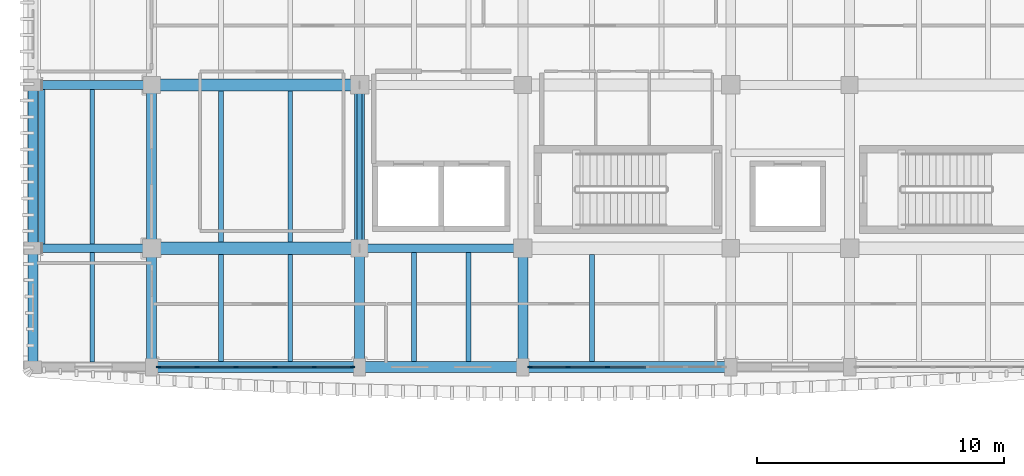
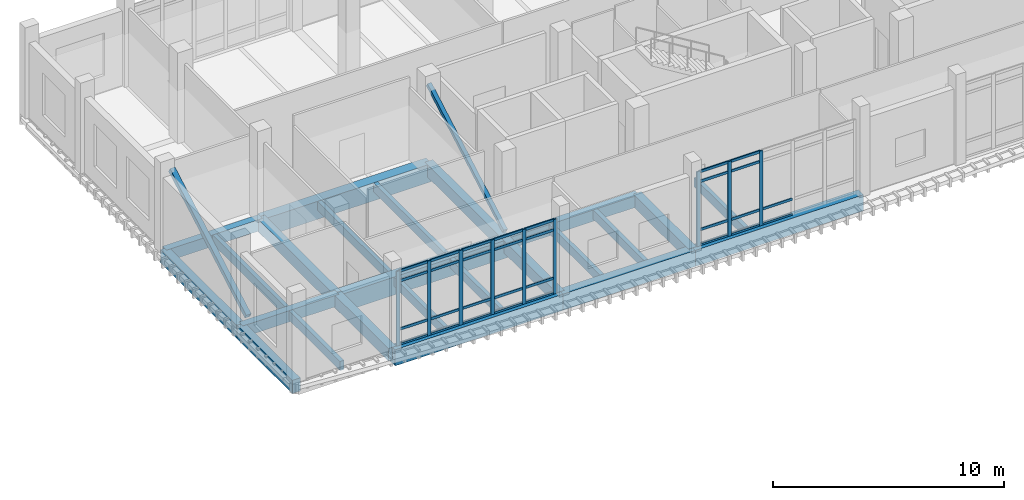
# One storey, part 4 of 50: 41 members, 24 beams, 2 elements without a shape of their own.
"""IFC4 building model written with IfcOpenShell, lengths in metres."""

from ifc_helpers import new_model, si_unit, direction, frame, origin, origin_2d, place, context, subcontext, project, spatial, rectangle, hollow_rectangle, extrude, material, material_profile, profile_set, type_object, element, aggregate, save


model = new_model("IFC4")

# Units and contexts
model_context = context("Model", 3, precision=1e-05, world=origin(), true_north=direction((0.0, 1.0)))
body_context = subcontext(model_context, "Body", "Model", "MODEL_VIEW")
ifc_project = project(units=[si_unit("LENGTHUNIT", "METRE"), si_unit("AREAUNIT", "SQUARE_METRE"), si_unit("VOLUMEUNIT", "CUBIC_METRE"), si_unit("PLANEANGLEUNIT", "RADIAN"), si_unit("MASSUNIT", "GRAM", prefix="KILO")], contexts=[model_context])

# Site, building, storey
site_placement = place(None, origin())
site = spatial("IfcSite", under=ifc_project, at=site_placement, CompositionType="ELEMENT")
building_placement = place(site_placement, origin())
building = spatial("IfcBuilding", under=site, at=building_placement, Name="Dornvale Research Institute", CompositionType="ELEMENT")
storey_placement = place(building_placement, frame((0.0, 0.0, 19.800048828125)))
storey = spatial("IfcBuildingStorey", under=building, at=storey_placement, Name="L04", CompositionType="ELEMENT", Elevation=19.800048828125)

# Beams
ifc_material_1 = material(Name="Concrete f'c 45 MPa (C35/45)", Category="concrete")
ifc_material_profile_1 = material_profile(ifc_material_1, rectangle(XDim=0.35009765625, YDim=0.60009765625, at=origin_2d()), Name="RC 350x600")
ifc_profile_set_1 = profile_set([ifc_material_profile_1], Name="Concrete f'c 45 MPa (C35/45)")
beam_type_1 = type_object("IfcBeamType", Name="Beam_RC350x600_Floor", PredefinedType="BEAM", material=ifc_profile_set_1)
beam_1_placement = place(storey_placement, frame((0.0, 103.800048828125, -0.300048828125), z_axis=(1.0, 0.0, 0.0), x_axis=(0.0, 1.0, 0.0)))
element("IfcBeam", 1, at=beam_1_placement, inside=storey, type_object=beam_type_1, Name="L04 primary girder #1120", PredefinedType="BEAM", context=body_context, shape_type="SweptSolid", body=[
    extrude(rectangle(XDim=0.35009765625, YDim=0.60009765625, at=origin_2d()), origin(), (0.0, 0.0, 1.0), 4.800048828125),
])
beam_2_placement = place(storey_placement, frame((13.199951171875, 103.800048828125, -0.300048828125), z_axis=(1.0, 0.0, 0.0), x_axis=(0.0, 1.0, 0.0)))
element("IfcBeam", 2, at=beam_2_placement, inside=storey, type_object=beam_type_1, Name="L04 primary girder #1122", PredefinedType="BEAM", context=body_context, shape_type="SweptSolid", body=[
    extrude(rectangle(XDim=0.35009765625, YDim=0.60009765625, at=origin_2d()), origin(), (0.0, 0.0, 1.0), 6.60009765625),
])
beam_3_placement = place(storey_placement, frame((0.0, 110.39990234375, -0.300048828125), z_axis=(1.0, 0.0, 0.0), x_axis=(0.0, 1.0, 0.0)))
element("IfcBeam", 3, at=beam_3_placement, inside=storey, type_object=beam_type_1, Name="L04 primary girder #1126", PredefinedType="BEAM", context=body_context, shape_type="SweptSolid", body=[
    extrude(rectangle(XDim=0.35009765625, YDim=0.60009765625, at=origin_2d()), origin(), (0.0, 0.0, 1.0), 4.800048828125),
])
ifc_material_2 = material(Name="Concrete f'c 45 MPa (C35/45)", Category="concrete")
ifc_material_profile_2 = material_profile(ifc_material_2, rectangle(XDim=0.39990234375, YDim=0.64990234375, at=origin_2d()), Name="RC 400x650")
ifc_profile_set_2 = profile_set([ifc_material_profile_2], Name="Concrete f'c 45 MPa (C35/45)")
beam_type_2 = type_object("IfcBeamType", Name="Beam_RC400x650_Floor", PredefinedType="BEAM", material=ifc_profile_set_2)
beam_4_placement = place(storey_placement, frame((4.800048828125, 99.0, -0.324951171875), z_axis=(0.0, 1.0, 0.0), x_axis=(-1.0, 0.0, 0.0)))
element("IfcBeam", 4, at=beam_4_placement, inside=storey, type_object=beam_type_2, Name="L04 transverse girder #1148", PredefinedType="BEAM", context=body_context, shape_type="SweptSolid", body=[
    extrude(rectangle(XDim=0.39990234375, YDim=0.64990234375, at=origin_2d()), origin(), (0.0, 0.0, 1.0), 4.800048828125),
])
beam_5_placement = place(storey_placement, frame((4.800048828125, 103.800048828125, -0.324951171875), z_axis=(0.0, 1.0, 0.0), x_axis=(-1.0, 0.0, 0.0)))
element("IfcBeam", 5, at=beam_5_placement, inside=storey, type_object=beam_type_2, Name="L04 transverse girder #1149", PredefinedType="BEAM", context=body_context, shape_type="SweptSolid", body=[
    extrude(rectangle(XDim=0.39990234375, YDim=0.64990234375, at=origin_2d()), origin(), (0.0, 0.0, 1.0), 6.599853515625),
])
beam_6_placement = place(storey_placement, frame((13.199951171875, 99.0, -0.324951171875), z_axis=(0.0, 1.0, 0.0), x_axis=(-1.0, 0.0, 0.0)))
element("IfcBeam", 6, at=beam_6_placement, inside=storey, type_object=beam_type_2, Name="L04 transverse girder #1152", PredefinedType="BEAM", context=body_context, shape_type="SweptSolid", body=[
    extrude(rectangle(XDim=0.39990234375, YDim=0.64990234375, at=origin_2d()), origin(), (0.0, 0.0, 1.0), 4.800048828125),
])
beam_7_placement = place(storey_placement, frame((13.199951171875, 103.800048828125, -0.324951171875), z_axis=(0.0, 1.0, 0.0), x_axis=(-1.0, 0.0, 0.0)))
element("IfcBeam", 7, at=beam_7_placement, inside=storey, type_object=beam_type_2, Name="L04 transverse girder #1153", PredefinedType="BEAM", context=body_context, shape_type="SweptSolid", body=[
    extrude(rectangle(XDim=0.39990234375, YDim=0.64990234375, at=origin_2d()), origin(), (0.0, 0.0, 1.0), 6.599853515625),
])
beam_8_placement = place(storey_placement, frame((19.800048828125, 99.0, -0.324951171875), z_axis=(0.0, 1.0, 0.0), x_axis=(-1.0, 0.0, 0.0)))
element("IfcBeam", 8, at=beam_8_placement, inside=storey, type_object=beam_type_2, Name="L04 transverse girder #1156", PredefinedType="BEAM", context=body_context, shape_type="SweptSolid", body=[
    extrude(rectangle(XDim=0.39990234375, YDim=0.64990234375, at=origin_2d()), origin(), (0.0, 0.0, 1.0), 4.800048828125),
])
ifc_material_3 = material(Name="Concrete f'c 45 MPa (C35/45)", Category="concrete")
ifc_material_profile_3 = material_profile(ifc_material_3, rectangle(XDim=0.5, YDim=0.949951171875, at=origin_2d()), Name="RC 500x950")
ifc_profile_set_3 = profile_set([ifc_material_profile_3], Name="Concrete f'c 45 MPa (C35/45)")
beam_type_3 = type_object("IfcBeamType", Name="Beam_RC500x950_Girder", PredefinedType="BEAM", material=ifc_profile_set_3)
for number, where, z_axis, x_axis, name in (
    (9, (4.800048828125, 103.800048828125, -0.47509765625), (1.0, 0.0, 0.0), (0.0, 1.0, 0.0), "L04 primary girder #1121"),
    (10, (4.800048828125, 110.39990234375, -0.47509765625), (1.0, 0.0, 0.0), (0.0, 1.0, 0.0), "L04 primary girder #1127"),
):
    element("IfcBeam", number, at=place(storey_placement, frame(where, z_axis=z_axis, x_axis=x_axis)), inside=storey, type_object=beam_type_3, Name=name, PredefinedType="BEAM", context=body_context, shape_type="SweptSolid", body=[
        extrude(rectangle(XDim=0.5, YDim=0.949951171875, at=origin_2d()), origin(), (0.0, 0.0, 1.0), 8.39990234375),
    ])

# Members
ifc_material_4 = material(Name="Steel ASTM A500 Grade C", Category="steel")
ifc_material_profile_4 = material_profile(ifc_material_4, hollow_rectangle(XDim=0.202880859375, YDim=0.202880859375, WallThickness=0.0087890625, at=origin_2d()), Name="HSS203X203X9.5")
ifc_profile_set_4 = profile_set([ifc_material_profile_4], Name="Steel ASTM A500 Grade C")
member_type_1 = type_object("IfcMemberType", Name="Brace_HSS203X203_Int", PredefinedType="BRACE", material=ifc_profile_set_4)
member_1_placement = place(storey_placement, frame((13.199951171875, 103.800048828125, 0.300048828125), z_axis=(0.0, 0.869451847873, 0.494017696272), x_axis=(-1.0, 0.0, 0.0)))
element("IfcMember", 11, at=member_1_placement, inside=storey, type_object=member_type_1, Name="L04 seismic diagonal brace #41", PredefinedType="BRACE", context=body_context, shape_type="SweptSolid", body=[
    extrude(hollow_rectangle(XDim=0.202880859375, YDim=0.202880859375, WallThickness=0.0087890625, at=origin_2d()), origin(), (0.0, 0.0, 1.0), 7.5908203125),
])
ifc_material_5 = material(Name="Steel ASTM A500 Grade C", Category="steel")
ifc_material_profile_5 = material_profile(ifc_material_5, hollow_rectangle(XDim=0.25390625, YDim=0.25390625, WallThickness=0.01171875, at=origin_2d()), Name="HSS254X254X12.7")
ifc_profile_set_5 = profile_set([ifc_material_profile_5], Name="Steel ASTM A500 Grade C")
member_type_2 = type_object("IfcMemberType", Name="Brace_HSS254X254_Int", PredefinedType="BRACE", material=ifc_profile_set_5)
member_2_placement = place(storey_placement, frame((0.360107421875, 103.800048828125, 0.300048828125), z_axis=(0.0, 0.869451847873, 0.494017696272), x_axis=(-1.0, 0.0, 0.0)))
element("IfcMember", 12, at=member_2_placement, inside=storey, type_object=member_type_2, Name="L04 seismic diagonal brace #36", PredefinedType="BRACE", context=body_context, shape_type="SweptSolid", body=[
    extrude(hollow_rectangle(XDim=0.25390625, YDim=0.25390625, WallThickness=0.01171875, at=origin_2d()), origin(), (0.0, 0.0, 1.0), 7.5908203125),
])

# Beams
ifc_material_6 = material(Name="Concrete f'c 45 MPa (C35/45)", Category="concrete")
ifc_material_profile_6 = material_profile(ifc_material_6, rectangle(XDim=0.199951171875, YDim=0.485107421875, at=origin_2d()), Name="RC 200x485")
ifc_profile_set_6 = profile_set([ifc_material_profile_6], Name="Concrete f'c 45 MPa (C35/45)")
beam_type_4 = type_object("IfcBeamType", Name="Joist_RC200x485_Rib", PredefinedType="JOIST", material=ifc_profile_set_6)
beam_9_placement = place(storey_placement, frame((2.39990234375, 99.199951171875, -0.242431640625), z_axis=(0.0, 1.0, 0.0), x_axis=(-1.0, 0.0, 0.0)))
element("IfcBeam", 13, at=beam_9_placement, inside=storey, type_object=beam_type_4, Name="L04 laboratory waffle joist #553", PredefinedType="JOIST", context=body_context, shape_type="SweptSolid", body=[
    extrude(rectangle(XDim=0.199951171875, YDim=0.485107421875, at=origin_2d()), origin(), (0.0, 0.0, 1.0), 4.425048828125),
])
beam_10_placement = place(storey_placement, frame((2.39990234375, 103.97509765625, -0.242431640625), z_axis=(0.0, 1.0, 0.0), x_axis=(-1.0, 0.0, 0.0)))
element("IfcBeam", 14, at=beam_10_placement, inside=storey, type_object=beam_type_4, Name="L04 laboratory waffle joist #554", PredefinedType="JOIST", context=body_context, shape_type="SweptSolid", body=[
    extrude(rectangle(XDim=0.199951171875, YDim=0.485107421875, at=origin_2d()), origin(), (0.0, 0.0, 1.0), 6.25),
])
for number, where, z_axis, x_axis, name in (
    (15, (7.60009765625, 99.22509765625, -0.242431640625), (0.0, 1.0, 0.0), (-1.0, 0.0, 0.0), "L04 laboratory waffle joist #557"),
    (16, (10.39990234375, 99.22509765625, -0.242431640625), (0.0, 1.0, 0.0), (-1.0, 0.0, 0.0), "L04 laboratory waffle joist #558"),
):
    element("IfcBeam", number, at=place(storey_placement, frame(where, z_axis=z_axis, x_axis=x_axis)), inside=storey, type_object=beam_type_4, Name=name, PredefinedType="JOIST", context=body_context, shape_type="SweptSolid", body=[
        extrude(rectangle(XDim=0.199951171875, YDim=0.485107421875, at=origin_2d()), origin(), (0.0, 0.0, 1.0), 4.324951171875),
    ])
for number, where, z_axis, x_axis, name in (
    (17, (7.60009765625, 104.050048828125, -0.242431640625), (0.0, 1.0, 0.0), (-1.0, 0.0, 0.0), "L04 laboratory waffle joist #559"),
    (18, (10.39990234375, 104.050048828125, -0.242431640625), (0.0, 1.0, 0.0), (-1.0, 0.0, 0.0), "L04 laboratory waffle joist #560"),
):
    element("IfcBeam", number, at=place(storey_placement, frame(where, z_axis=z_axis, x_axis=x_axis)), inside=storey, type_object=beam_type_4, Name=name, PredefinedType="JOIST", context=body_context, shape_type="SweptSolid", body=[
        extrude(rectangle(XDim=0.199951171875, YDim=0.485107421875, at=origin_2d()), origin(), (0.0, 0.0, 1.0), 6.099853515625),
    ])
for number, where, z_axis, x_axis, name in (
    (19, (15.39990234375, 99.22509765625, -0.242431640625), (0.0, 1.0, 0.0), (-1.0, 0.0, 0.0), "L04 laboratory waffle joist #565"),
    (20, (17.60009765625, 99.22509765625, -0.242431640625), (0.0, 1.0, 0.0), (-1.0, 0.0, 0.0), "L04 laboratory waffle joist #566"),
):
    element("IfcBeam", number, at=place(storey_placement, frame(where, z_axis=z_axis, x_axis=x_axis)), inside=storey, type_object=beam_type_4, Name=name, PredefinedType="JOIST", context=body_context, shape_type="SweptSolid", body=[
        extrude(rectangle(XDim=0.199951171875, YDim=0.485107421875, at=origin_2d()), origin(), (0.0, 0.0, 1.0), 4.39990234375),
    ])
beam_11_placement = place(storey_placement, frame((22.60009765625, 99.22509765625, -0.242431640625), z_axis=(0.0, 1.0, 0.0), x_axis=(-1.0, 0.0, 0.0)))
element("IfcBeam", 21, at=beam_11_placement, inside=storey, type_object=beam_type_4, Name="L04 laboratory waffle joist #571", PredefinedType="JOIST", context=body_context, shape_type="SweptSolid", body=[
    extrude(rectangle(XDim=0.199951171875, YDim=0.485107421875, at=origin_2d()), origin(), (0.0, 0.0, 1.0), 4.324951171875),
])

# Curtain wall, members
ifc_material_7 = material(Name="Low-E Argon Double Insulating Glazing Unit", Category="glass")
curtain_wall_type = type_object("IfcCurtainWallType", Name="UnitisedCurtainWall_V5_7900x3950", PredefinedType="USERDEFINED", material=ifc_material_7)
curtain_wall_1_placement = place(storey_placement, origin())
curtain_wall_1 = element("IfcCurtainWall", 22, at=curtain_wall_1_placement, inside=storey, type_object=curtain_wall_type, Name="L04 V5 unitised curtain wall CW-24 #163", ObjectType="UNITISED CURTAIN WALL", PredefinedType="USERDEFINED")
ifc_material_8 = material(Name="Anodized Aluminum AA 6063-T6 Thermally Broken Frame", Category="aluminium")
ifc_material_profile_7 = material_profile(ifc_material_8, rectangle(XDim=0.06494140625, YDim=0.179931640625, at=origin_2d()), Name="ALU MULLION 65x180")
ifc_profile_set_7 = profile_set([ifc_material_profile_7], Name="Anodized Aluminum AA 6063-T6 Thermally Broken Frame")
member_type_3 = type_object("IfcMemberType", Name="Mullion_CW_65x180", PredefinedType="MULLION", material=ifc_profile_set_7)
member_3_placement = place(storey_placement, frame((23.2099609375, 99.0, 0.0), z_axis=(0.0, 0.0, 1.0), x_axis=(0.0, -1.0, 0.0)))
member_3 = element("IfcMember", 23, at=member_3_placement, type_object=member_type_3, Name="CW-24 mullion 4", PredefinedType="MULLION", context=body_context, shape_type="SweptSolid", body=[
    extrude(rectangle(XDim=0.06494140625, YDim=0.179931640625, at=origin_2d()), origin(), (0.0, 0.0, 1.0), 3.949951171875),
])
member_4_placement = place(storey_placement, frame((21.6298828125, 99.0, 0.0), z_axis=(0.0, 0.0, 1.0), x_axis=(0.0, -1.0, 0.0)))
member_4 = element("IfcMember", 24, at=member_4_placement, type_object=member_type_3, Name="CW-24 mullion 5", PredefinedType="MULLION", context=body_context, shape_type="SweptSolid", body=[
    extrude(rectangle(XDim=0.06494140625, YDim=0.179931640625, at=origin_2d()), origin(), (0.0, 0.0, 1.0), 3.949951171875),
])
member_5_placement = place(storey_placement, frame((20.08251953125, 99.0, 0.0), z_axis=(0.0, 0.0, 1.0), x_axis=(0.0, -1.0, 0.0)))
member_5 = element("IfcMember", 25, at=member_5_placement, type_object=member_type_3, Name="CW-24 mullion 6", PredefinedType="MULLION", context=body_context, shape_type="SweptSolid", body=[
    extrude(rectangle(XDim=0.06494140625, YDim=0.179931640625, at=origin_2d()), origin(), (0.0, 0.0, 1.0), 3.949951171875),
])

curtain_wall_2_placement = place(storey_placement, origin())
curtain_wall_2 = element("IfcCurtainWall", 26, at=curtain_wall_2_placement, inside=storey, type_object=curtain_wall_type, Name="L04 V5 unitised curtain wall CW-24 #164", ObjectType="UNITISED CURTAIN WALL", PredefinedType="USERDEFINED")
member_6_placement = place(storey_placement, frame((12.91748046875, 99.0, 0.0), z_axis=(0.0, 0.0, 1.0), x_axis=(0.0, -1.0, 0.0)))
member_6 = element("IfcMember", 27, at=member_6_placement, type_object=member_type_3, Name="CW-24 mullion 1", PredefinedType="MULLION", context=body_context, shape_type="SweptSolid", body=[
    extrude(rectangle(XDim=0.06494140625, YDim=0.179931640625, at=origin_2d()), origin(), (0.0, 0.0, 1.0), 3.949951171875),
])
member_7_placement = place(storey_placement, frame((11.3701171875, 99.0, 0.0), z_axis=(0.0, 0.0, 1.0), x_axis=(0.0, -1.0, 0.0)))
member_7 = element("IfcMember", 28, at=member_7_placement, type_object=member_type_3, Name="CW-24 mullion 2", PredefinedType="MULLION", context=body_context, shape_type="SweptSolid", body=[
    extrude(rectangle(XDim=0.06494140625, YDim=0.179931640625, at=origin_2d()), origin(), (0.0, 0.0, 1.0), 3.949951171875),
])
member_8_placement = place(storey_placement, frame((9.7900390625, 99.0, 0.0), z_axis=(0.0, 0.0, 1.0), x_axis=(0.0, -1.0, 0.0)))
member_8 = element("IfcMember", 29, at=member_8_placement, type_object=member_type_3, Name="CW-24 mullion 3", PredefinedType="MULLION", context=body_context, shape_type="SweptSolid", body=[
    extrude(rectangle(XDim=0.06494140625, YDim=0.179931640625, at=origin_2d()), origin(), (0.0, 0.0, 1.0), 3.949951171875),
])
member_9_placement = place(storey_placement, frame((8.2099609375, 99.0, 0.0), z_axis=(0.0, 0.0, 1.0), x_axis=(0.0, -1.0, 0.0)))
member_9 = element("IfcMember", 30, at=member_9_placement, type_object=member_type_3, Name="CW-24 mullion 4", PredefinedType="MULLION", context=body_context, shape_type="SweptSolid", body=[
    extrude(rectangle(XDim=0.06494140625, YDim=0.179931640625, at=origin_2d()), origin(), (0.0, 0.0, 1.0), 3.949951171875),
])
member_10_placement = place(storey_placement, frame((6.6298828125, 99.0, 0.0), z_axis=(0.0, 0.0, 1.0), x_axis=(0.0, -1.0, 0.0)))
member_10 = element("IfcMember", 31, at=member_10_placement, type_object=member_type_3, Name="CW-24 mullion 5", PredefinedType="MULLION", context=body_context, shape_type="SweptSolid", body=[
    extrude(rectangle(XDim=0.06494140625, YDim=0.179931640625, at=origin_2d()), origin(), (0.0, 0.0, 1.0), 3.949951171875),
])
member_11_placement = place(storey_placement, frame((5.08251953125, 99.0, 0.0), z_axis=(0.0, 0.0, 1.0), x_axis=(0.0, -1.0, 0.0)))
member_11 = element("IfcMember", 32, at=member_11_placement, type_object=member_type_3, Name="CW-24 mullion 6", PredefinedType="MULLION", context=body_context, shape_type="SweptSolid", body=[
    extrude(rectangle(XDim=0.06494140625, YDim=0.179931640625, at=origin_2d()), origin(), (0.0, 0.0, 1.0), 3.949951171875),
])

# Beams
ifc_material_9 = material(Name="Concrete f'c 45 MPa (C35/45)", Category="concrete")
ifc_material_profile_8 = material_profile(ifc_material_9, rectangle(XDim=0.39990234375, YDim=0.699951171875, at=origin_2d()), Name="RC 400x700")
ifc_profile_set_8 = profile_set([ifc_material_profile_8], Name="Concrete f'c 45 MPa (C35/45)")
beam_type_5 = type_object("IfcBeamType", Name="Spandrel_RC400x700_Ext", PredefinedType="SPANDREL", material=ifc_profile_set_8)
beam_12_placement = place(storey_placement, frame((0.0, 99.0, -0.35009765625), z_axis=(0.0, 1.0, 0.0), x_axis=(-1.0, 0.0, 0.0)))
element("IfcBeam", 33, at=beam_12_placement, inside=storey, type_object=beam_type_5, Name="L04 perimeter spandrel #1144", PredefinedType="SPANDREL", context=body_context, shape_type="SweptSolid", body=[
    extrude(rectangle(XDim=0.39990234375, YDim=0.699951171875, at=origin_2d()), origin(), (0.0, 0.0, 1.0), 4.800048828125),
])
beam_13_placement = place(storey_placement, frame((0.0, 103.800048828125, -0.35009765625), z_axis=(0.0, 1.0, 0.0), x_axis=(-1.0, 0.0, 0.0)))
element("IfcBeam", 34, at=beam_13_placement, inside=storey, type_object=beam_type_5, Name="L04 perimeter spandrel #1145", PredefinedType="SPANDREL", context=body_context, shape_type="SweptSolid", body=[
    extrude(rectangle(XDim=0.39990234375, YDim=0.699951171875, at=origin_2d()), origin(), (0.0, 0.0, 1.0), 6.599853515625),
])
ifc_material_10 = material(Name="Concrete f'c 45 MPa (C35/45)", Category="concrete")
ifc_material_profile_9 = material_profile(ifc_material_10, rectangle(XDim=0.449951171875, YDim=0.85009765625, at=origin_2d()), Name="RC 450x850")
ifc_profile_set_9 = profile_set([ifc_material_profile_9], Name="Concrete f'c 45 MPa (C35/45)")
beam_type_6 = type_object("IfcBeamType", Name="Spandrel_RC450x850_Ext", PredefinedType="SPANDREL", material=ifc_profile_set_9)
beam_14_placement = place(storey_placement, frame((4.800048828125, 99.0, -0.425048828125), z_axis=(1.0, 0.0, 0.0), x_axis=(0.0, 1.0, 0.0)))
element("IfcBeam", 35, at=beam_14_placement, inside=storey, type_object=beam_type_6, Name="L04 perimeter spandrel #1115", PredefinedType="SPANDREL", context=body_context, shape_type="SweptSolid", body=[
    extrude(rectangle(XDim=0.449951171875, YDim=0.85009765625, at=origin_2d()), origin(), (0.0, 0.0, 1.0), 8.39990234375),
])
beam_15_placement = place(storey_placement, frame((13.199951171875, 99.0, -0.425048828125), z_axis=(1.0, 0.0, 0.0), x_axis=(0.0, 1.0, 0.0)))
element("IfcBeam", 36, at=beam_15_placement, inside=storey, type_object=beam_type_6, Name="L04 perimeter spandrel #1116", PredefinedType="SPANDREL", context=body_context, shape_type="SweptSolid", body=[
    extrude(rectangle(XDim=0.449951171875, YDim=0.85009765625, at=origin_2d()), origin(), (0.0, 0.0, 1.0), 6.60009765625),
])
beam_16_placement = place(storey_placement, frame((19.800048828125, 99.0, -0.425048828125), z_axis=(1.0, 0.0, 0.0), x_axis=(0.0, 1.0, 0.0)))
element("IfcBeam", 37, at=beam_16_placement, inside=storey, type_object=beam_type_6, Name="L04 perimeter spandrel #1117", PredefinedType="SPANDREL", context=body_context, shape_type="SweptSolid", body=[
    extrude(rectangle(XDim=0.449951171875, YDim=0.85009765625, at=origin_2d()), origin(), (0.0, 0.0, 1.0), 8.39990234375),
])

# Member
ifc_material_11 = material(Name="Anodized Aluminum AA 6063-T6 Thermally Broken Frame", Category="aluminium")
ifc_material_profile_10 = material_profile(ifc_material_11, rectangle(XDim=0.06494140625, YDim=0.135009765625, at=origin_2d()), Name="ALU TRANSOM 65x135")
ifc_profile_set_10 = profile_set([ifc_material_profile_10], Name="Anodized Aluminum AA 6063-T6 Thermally Broken Frame")
member_type_4 = type_object("IfcMemberType", Name="Transom_CW_65x135", PredefinedType="USERDEFINED", material=ifc_profile_set_10)
member_12_placement = place(storey_placement, frame((24.757568359375, 99.0, 0.032470703125), z_axis=(-1.0, 0.0, 0.0), x_axis=(0.0, -1.0, 0.0)))
member_12 = element("IfcMember", 38, at=member_12_placement, type_object=member_type_4, Name="CW-24 transom 3.1", ObjectType="TRANSOM", PredefinedType="USERDEFINED", context=body_context, shape_type="SweptSolid", body=[
    extrude(rectangle(XDim=0.06494140625, YDim=0.135009765625, at=origin_2d()), origin(), (0.0, 0.0, 1.0), 1.51513671875),
])

member_13_placement = place(storey_placement, frame((24.757568359375, 99.0, 0.849853515625), z_axis=(-1.0, 0.0, 0.0), x_axis=(0.0, -1.0, 0.0)))
member_13 = element("IfcMember", 39, at=member_13_placement, type_object=member_type_4, Name="CW-24 transom 3.2", ObjectType="TRANSOM", PredefinedType="USERDEFINED", context=body_context, shape_type="SweptSolid", body=[
    extrude(rectangle(XDim=0.06494140625, YDim=0.135009765625, at=origin_2d()), origin(), (0.0, 0.0, 1.0), 1.51513671875),
])

member_14_placement = place(storey_placement, frame((23.177490234375, 99.0, 0.032470703125), z_axis=(-1.0, 0.0, 0.0), x_axis=(0.0, -1.0, 0.0)))
member_14 = element("IfcMember", 40, at=member_14_placement, type_object=member_type_4, Name="CW-24 transom 4.1", ObjectType="TRANSOM", PredefinedType="USERDEFINED", context=body_context, shape_type="SweptSolid", body=[
    extrude(rectangle(XDim=0.06494140625, YDim=0.135009765625, at=origin_2d()), origin(), (0.0, 0.0, 1.0), 1.514892578125),
])

member_15_placement = place(storey_placement, frame((23.177490234375, 99.0, 0.849853515625), z_axis=(-1.0, 0.0, 0.0), x_axis=(0.0, -1.0, 0.0)))
member_15 = element("IfcMember", 41, at=member_15_placement, type_object=member_type_4, Name="CW-24 transom 4.2", ObjectType="TRANSOM", PredefinedType="USERDEFINED", context=body_context, shape_type="SweptSolid", body=[
    extrude(rectangle(XDim=0.06494140625, YDim=0.135009765625, at=origin_2d()), origin(), (0.0, 0.0, 1.0), 1.514892578125),
])

member_16_placement = place(storey_placement, frame((23.177490234375, 99.0, 3.39990234375), z_axis=(-1.0, 0.0, 0.0), x_axis=(0.0, -1.0, 0.0)))
member_16 = element("IfcMember", 42, at=member_16_placement, type_object=member_type_4, Name="CW-24 transom 4.3", ObjectType="TRANSOM", PredefinedType="USERDEFINED", context=body_context, shape_type="SweptSolid", body=[
    extrude(rectangle(XDim=0.06494140625, YDim=0.135009765625, at=origin_2d()), origin(), (0.0, 0.0, 1.0), 1.514892578125),
])

member_17_placement = place(storey_placement, frame((23.177490234375, 99.0, 3.91748046875), z_axis=(-1.0, 0.0, 0.0), x_axis=(0.0, -1.0, 0.0)))
member_17 = element("IfcMember", 43, at=member_17_placement, type_object=member_type_4, Name="CW-24 transom 4.4", ObjectType="TRANSOM", PredefinedType="USERDEFINED", context=body_context, shape_type="SweptSolid", body=[
    extrude(rectangle(XDim=0.06494140625, YDim=0.135009765625, at=origin_2d()), origin(), (0.0, 0.0, 1.0), 1.514892578125),
])

member_18_placement = place(storey_placement, frame((21.597412109375, 99.0, 0.032470703125), z_axis=(-1.0, 0.0, 0.0), x_axis=(0.0, -1.0, 0.0)))
member_18 = element("IfcMember", 44, at=member_18_placement, type_object=member_type_4, Name="CW-24 transom 5.1", ObjectType="TRANSOM", PredefinedType="USERDEFINED", context=body_context, shape_type="SweptSolid", body=[
    extrude(rectangle(XDim=0.06494140625, YDim=0.135009765625, at=origin_2d()), origin(), (0.0, 0.0, 1.0), 1.482421875),
])

member_19_placement = place(storey_placement, frame((21.597412109375, 99.0, 0.849853515625), z_axis=(-1.0, 0.0, 0.0), x_axis=(0.0, -1.0, 0.0)))
member_19 = element("IfcMember", 45, at=member_19_placement, type_object=member_type_4, Name="CW-24 transom 5.2", ObjectType="TRANSOM", PredefinedType="USERDEFINED", context=body_context, shape_type="SweptSolid", body=[
    extrude(rectangle(XDim=0.06494140625, YDim=0.135009765625, at=origin_2d()), origin(), (0.0, 0.0, 1.0), 1.482421875),
])

member_20_placement = place(storey_placement, frame((21.597412109375, 99.0, 3.39990234375), z_axis=(-1.0, 0.0, 0.0), x_axis=(0.0, -1.0, 0.0)))
member_20 = element("IfcMember", 46, at=member_20_placement, type_object=member_type_4, Name="CW-24 transom 5.3", ObjectType="TRANSOM", PredefinedType="USERDEFINED", context=body_context, shape_type="SweptSolid", body=[
    extrude(rectangle(XDim=0.06494140625, YDim=0.135009765625, at=origin_2d()), origin(), (0.0, 0.0, 1.0), 1.482421875),
])

member_21_placement = place(storey_placement, frame((21.597412109375, 99.0, 3.91748046875), z_axis=(-1.0, 0.0, 0.0), x_axis=(0.0, -1.0, 0.0)))
member_21 = element("IfcMember", 47, at=member_21_placement, type_object=member_type_4, Name="CW-24 transom 5.4", ObjectType="TRANSOM", PredefinedType="USERDEFINED", context=body_context, shape_type="SweptSolid", body=[
    extrude(rectangle(XDim=0.06494140625, YDim=0.135009765625, at=origin_2d()), origin(), (0.0, 0.0, 1.0), 1.482421875),
])

aggregate(curtain_wall_1, [member_3, member_4, member_5, member_12, member_13, member_14, member_15, member_16, member_17, member_18, member_19, member_20, member_21])

member_22_placement = place(storey_placement, frame((12.885009765625, 99.0, 0.032470703125), z_axis=(-1.0, 0.0, 0.0), x_axis=(0.0, -1.0, 0.0)))
member_22 = element("IfcMember", 48, at=member_22_placement, type_object=member_type_4, Name="CW-24 transom 1.1", ObjectType="TRANSOM", PredefinedType="USERDEFINED", context=body_context, shape_type="SweptSolid", body=[
    extrude(rectangle(XDim=0.06494140625, YDim=0.135009765625, at=origin_2d()), origin(), (0.0, 0.0, 1.0), 1.482421875),
])

member_23_placement = place(storey_placement, frame((12.885009765625, 99.0, 0.849853515625), z_axis=(-1.0, 0.0, 0.0), x_axis=(0.0, -1.0, 0.0)))
member_23 = element("IfcMember", 49, at=member_23_placement, type_object=member_type_4, Name="CW-24 transom 1.2", ObjectType="TRANSOM", PredefinedType="USERDEFINED", context=body_context, shape_type="SweptSolid", body=[
    extrude(rectangle(XDim=0.06494140625, YDim=0.135009765625, at=origin_2d()), origin(), (0.0, 0.0, 1.0), 1.482421875),
])

member_24_placement = place(storey_placement, frame((12.885009765625, 99.0, 3.39990234375), z_axis=(-1.0, 0.0, 0.0), x_axis=(0.0, -1.0, 0.0)))
member_24 = element("IfcMember", 50, at=member_24_placement, type_object=member_type_4, Name="CW-24 transom 1.3", ObjectType="TRANSOM", PredefinedType="USERDEFINED", context=body_context, shape_type="SweptSolid", body=[
    extrude(rectangle(XDim=0.06494140625, YDim=0.135009765625, at=origin_2d()), origin(), (0.0, 0.0, 1.0), 1.482421875),
])

member_25_placement = place(storey_placement, frame((12.885009765625, 99.0, 3.91748046875), z_axis=(-1.0, 0.0, 0.0), x_axis=(0.0, -1.0, 0.0)))
member_25 = element("IfcMember", 51, at=member_25_placement, type_object=member_type_4, Name="CW-24 transom 1.4", ObjectType="TRANSOM", PredefinedType="USERDEFINED", context=body_context, shape_type="SweptSolid", body=[
    extrude(rectangle(XDim=0.06494140625, YDim=0.135009765625, at=origin_2d()), origin(), (0.0, 0.0, 1.0), 1.482421875),
])

member_26_placement = place(storey_placement, frame((11.33740234375, 99.0, 0.032470703125), z_axis=(-1.0, 0.0, 0.0), x_axis=(0.0, -1.0, 0.0)))
member_26 = element("IfcMember", 52, at=member_26_placement, type_object=member_type_4, Name="CW-24 transom 2.1", ObjectType="TRANSOM", PredefinedType="USERDEFINED", context=body_context, shape_type="SweptSolid", body=[
    extrude(rectangle(XDim=0.06494140625, YDim=0.135009765625, at=origin_2d()), origin(), (0.0, 0.0, 1.0), 1.514892578125),
])

member_27_placement = place(storey_placement, frame((11.33740234375, 99.0, 0.849853515625), z_axis=(-1.0, 0.0, 0.0), x_axis=(0.0, -1.0, 0.0)))
member_27 = element("IfcMember", 53, at=member_27_placement, type_object=member_type_4, Name="CW-24 transom 2.2", ObjectType="TRANSOM", PredefinedType="USERDEFINED", context=body_context, shape_type="SweptSolid", body=[
    extrude(rectangle(XDim=0.06494140625, YDim=0.135009765625, at=origin_2d()), origin(), (0.0, 0.0, 1.0), 1.514892578125),
])

member_28_placement = place(storey_placement, frame((11.33740234375, 99.0, 3.39990234375), z_axis=(-1.0, 0.0, 0.0), x_axis=(0.0, -1.0, 0.0)))
member_28 = element("IfcMember", 54, at=member_28_placement, type_object=member_type_4, Name="CW-24 transom 2.3", ObjectType="TRANSOM", PredefinedType="USERDEFINED", context=body_context, shape_type="SweptSolid", body=[
    extrude(rectangle(XDim=0.06494140625, YDim=0.135009765625, at=origin_2d()), origin(), (0.0, 0.0, 1.0), 1.514892578125),
])

member_29_placement = place(storey_placement, frame((11.33740234375, 99.0, 3.91748046875), z_axis=(-1.0, 0.0, 0.0), x_axis=(0.0, -1.0, 0.0)))
member_29 = element("IfcMember", 55, at=member_29_placement, type_object=member_type_4, Name="CW-24 transom 2.4", ObjectType="TRANSOM", PredefinedType="USERDEFINED", context=body_context, shape_type="SweptSolid", body=[
    extrude(rectangle(XDim=0.06494140625, YDim=0.135009765625, at=origin_2d()), origin(), (0.0, 0.0, 1.0), 1.514892578125),
])

member_30_placement = place(storey_placement, frame((9.757568359375, 99.0, 0.032470703125), z_axis=(-1.0, 0.0, 0.0), x_axis=(0.0, -1.0, 0.0)))
member_30 = element("IfcMember", 56, at=member_30_placement, type_object=member_type_4, Name="CW-24 transom 3.1", ObjectType="TRANSOM", PredefinedType="USERDEFINED", context=body_context, shape_type="SweptSolid", body=[
    extrude(rectangle(XDim=0.06494140625, YDim=0.135009765625, at=origin_2d()), origin(), (0.0, 0.0, 1.0), 1.51513671875),
])

member_31_placement = place(storey_placement, frame((9.757568359375, 99.0, 0.849853515625), z_axis=(-1.0, 0.0, 0.0), x_axis=(0.0, -1.0, 0.0)))
member_31 = element("IfcMember", 57, at=member_31_placement, type_object=member_type_4, Name="CW-24 transom 3.2", ObjectType="TRANSOM", PredefinedType="USERDEFINED", context=body_context, shape_type="SweptSolid", body=[
    extrude(rectangle(XDim=0.06494140625, YDim=0.135009765625, at=origin_2d()), origin(), (0.0, 0.0, 1.0), 1.51513671875),
])

member_32_placement = place(storey_placement, frame((9.757568359375, 99.0, 3.39990234375), z_axis=(-1.0, 0.0, 0.0), x_axis=(0.0, -1.0, 0.0)))
member_32 = element("IfcMember", 58, at=member_32_placement, type_object=member_type_4, Name="CW-24 transom 3.3", ObjectType="TRANSOM", PredefinedType="USERDEFINED", context=body_context, shape_type="SweptSolid", body=[
    extrude(rectangle(XDim=0.06494140625, YDim=0.135009765625, at=origin_2d()), origin(), (0.0, 0.0, 1.0), 1.51513671875),
])

member_33_placement = place(storey_placement, frame((9.757568359375, 99.0, 3.91748046875), z_axis=(-1.0, 0.0, 0.0), x_axis=(0.0, -1.0, 0.0)))
member_33 = element("IfcMember", 59, at=member_33_placement, type_object=member_type_4, Name="CW-24 transom 3.4", ObjectType="TRANSOM", PredefinedType="USERDEFINED", context=body_context, shape_type="SweptSolid", body=[
    extrude(rectangle(XDim=0.06494140625, YDim=0.135009765625, at=origin_2d()), origin(), (0.0, 0.0, 1.0), 1.51513671875),
])

member_34_placement = place(storey_placement, frame((8.177490234375, 99.0, 0.032470703125), z_axis=(-1.0, 0.0, 0.0), x_axis=(0.0, -1.0, 0.0)))
member_34 = element("IfcMember", 60, at=member_34_placement, type_object=member_type_4, Name="CW-24 transom 4.1", ObjectType="TRANSOM", PredefinedType="USERDEFINED", context=body_context, shape_type="SweptSolid", body=[
    extrude(rectangle(XDim=0.06494140625, YDim=0.135009765625, at=origin_2d()), origin(), (0.0, 0.0, 1.0), 1.514892578125),
])

member_35_placement = place(storey_placement, frame((8.177490234375, 99.0, 0.849853515625), z_axis=(-1.0, 0.0, 0.0), x_axis=(0.0, -1.0, 0.0)))
member_35 = element("IfcMember", 61, at=member_35_placement, type_object=member_type_4, Name="CW-24 transom 4.2", ObjectType="TRANSOM", PredefinedType="USERDEFINED", context=body_context, shape_type="SweptSolid", body=[
    extrude(rectangle(XDim=0.06494140625, YDim=0.135009765625, at=origin_2d()), origin(), (0.0, 0.0, 1.0), 1.514892578125),
])

member_36_placement = place(storey_placement, frame((8.177490234375, 99.0, 3.39990234375), z_axis=(-1.0, 0.0, 0.0), x_axis=(0.0, -1.0, 0.0)))
member_36 = element("IfcMember", 62, at=member_36_placement, type_object=member_type_4, Name="CW-24 transom 4.3", ObjectType="TRANSOM", PredefinedType="USERDEFINED", context=body_context, shape_type="SweptSolid", body=[
    extrude(rectangle(XDim=0.06494140625, YDim=0.135009765625, at=origin_2d()), origin(), (0.0, 0.0, 1.0), 1.514892578125),
])

member_37_placement = place(storey_placement, frame((8.177490234375, 99.0, 3.91748046875), z_axis=(-1.0, 0.0, 0.0), x_axis=(0.0, -1.0, 0.0)))
member_37 = element("IfcMember", 63, at=member_37_placement, type_object=member_type_4, Name="CW-24 transom 4.4", ObjectType="TRANSOM", PredefinedType="USERDEFINED", context=body_context, shape_type="SweptSolid", body=[
    extrude(rectangle(XDim=0.06494140625, YDim=0.135009765625, at=origin_2d()), origin(), (0.0, 0.0, 1.0), 1.514892578125),
])

member_38_placement = place(storey_placement, frame((6.597412109375, 99.0, 0.032470703125), z_axis=(-1.0, 0.0, 0.0), x_axis=(0.0, -1.0, 0.0)))
member_38 = element("IfcMember", 64, at=member_38_placement, type_object=member_type_4, Name="CW-24 transom 5.1", ObjectType="TRANSOM", PredefinedType="USERDEFINED", context=body_context, shape_type="SweptSolid", body=[
    extrude(rectangle(XDim=0.06494140625, YDim=0.135009765625, at=origin_2d()), origin(), (0.0, 0.0, 1.0), 1.482421875),
])

member_39_placement = place(storey_placement, frame((6.597412109375, 99.0, 0.849853515625), z_axis=(-1.0, 0.0, 0.0), x_axis=(0.0, -1.0, 0.0)))
member_39 = element("IfcMember", 65, at=member_39_placement, type_object=member_type_4, Name="CW-24 transom 5.2", ObjectType="TRANSOM", PredefinedType="USERDEFINED", context=body_context, shape_type="SweptSolid", body=[
    extrude(rectangle(XDim=0.06494140625, YDim=0.135009765625, at=origin_2d()), origin(), (0.0, 0.0, 1.0), 1.482421875),
])

member_40_placement = place(storey_placement, frame((6.597412109375, 99.0, 3.39990234375), z_axis=(-1.0, 0.0, 0.0), x_axis=(0.0, -1.0, 0.0)))
member_40 = element("IfcMember", 66, at=member_40_placement, type_object=member_type_4, Name="CW-24 transom 5.3", ObjectType="TRANSOM", PredefinedType="USERDEFINED", context=body_context, shape_type="SweptSolid", body=[
    extrude(rectangle(XDim=0.06494140625, YDim=0.135009765625, at=origin_2d()), origin(), (0.0, 0.0, 1.0), 1.482421875),
])

member_41_placement = place(storey_placement, frame((6.597412109375, 99.0, 3.91748046875), z_axis=(-1.0, 0.0, 0.0), x_axis=(0.0, -1.0, 0.0)))
member_41 = element("IfcMember", 67, at=member_41_placement, type_object=member_type_4, Name="CW-24 transom 5.4", ObjectType="TRANSOM", PredefinedType="USERDEFINED", context=body_context, shape_type="SweptSolid", body=[
    extrude(rectangle(XDim=0.06494140625, YDim=0.135009765625, at=origin_2d()), origin(), (0.0, 0.0, 1.0), 1.482421875),
])

aggregate(curtain_wall_2, [member_6, member_7, member_8, member_9, member_10, member_11, member_22, member_23, member_24, member_25, member_26, member_27, member_28, member_29, member_30, member_31, member_32, member_33, member_34, member_35, member_36, member_37, member_38, member_39, member_40, member_41])

save(model, "model.ifc")
